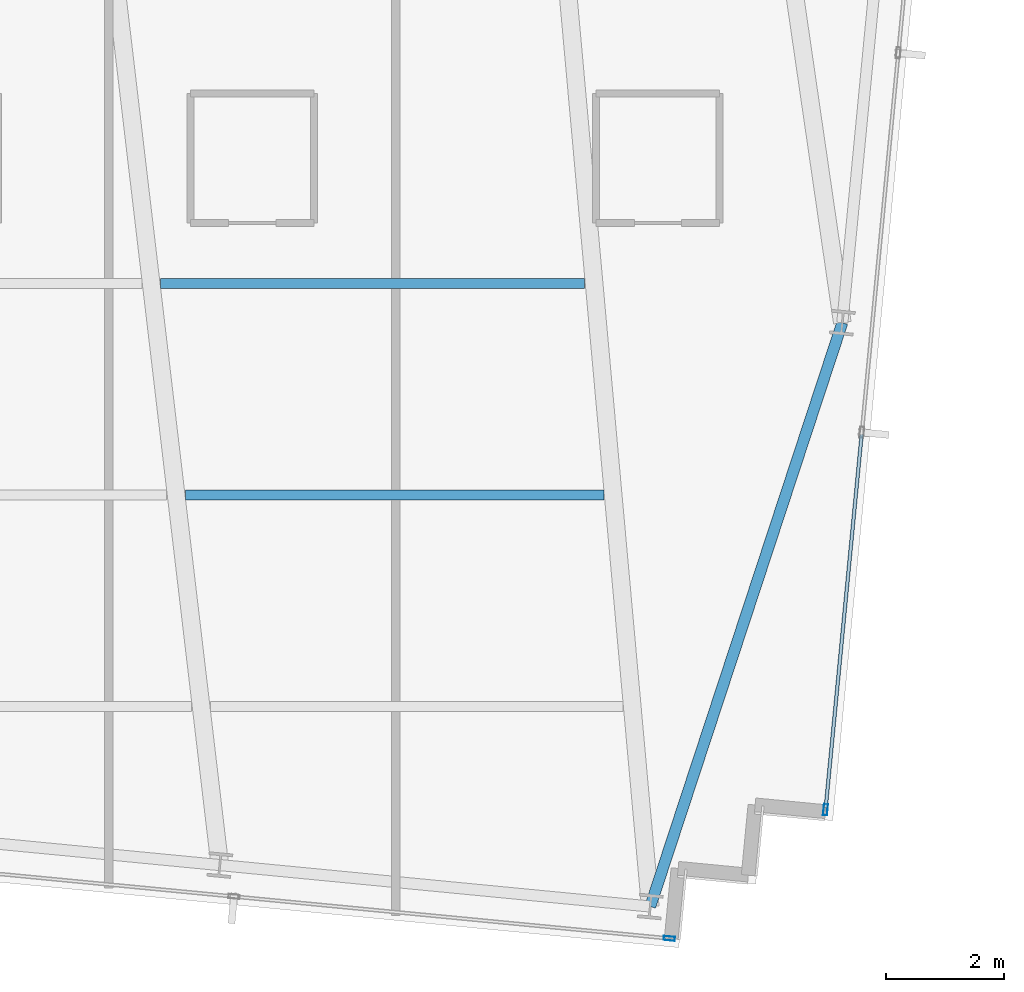
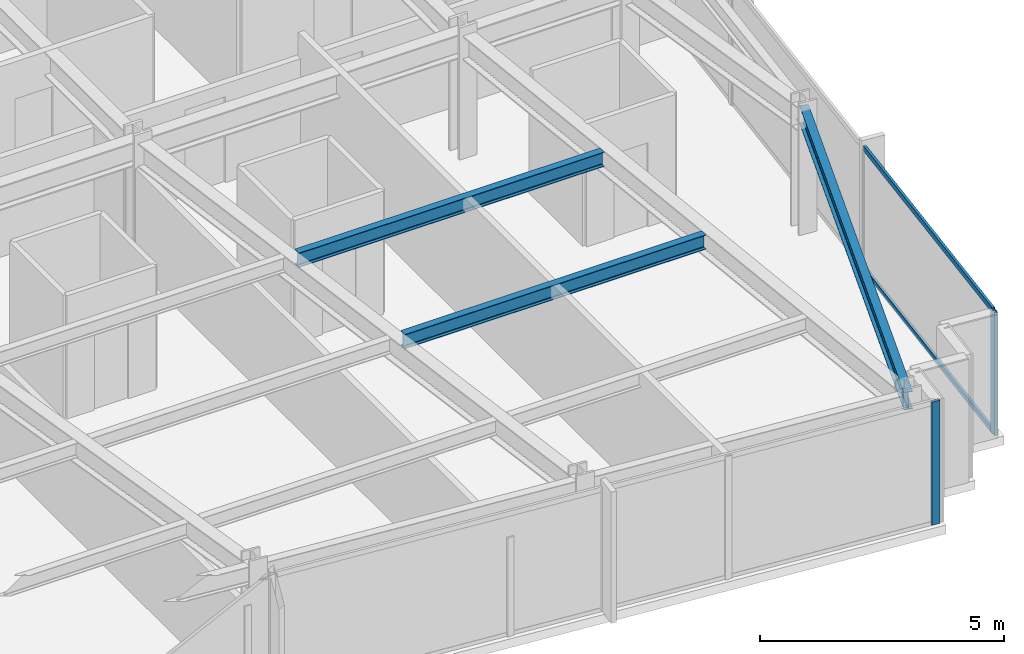
# One storey, part 14 of 37: 4 members, 3 beams, 2 elements without a shape of their own.
"""IFC4 building model written with IfcOpenShell, lengths in metres."""

from ifc_helpers import new_model, si_unit, direction, frame, origin, origin_2d, place, context, subcontext, project, spatial, hollow_rectangle, i_section, extrude, material, material_profile, profile_set, type_object, element, aggregate, save


model = new_model("IFC4")

# Units and contexts
model_context = context("Model", 3, precision=1e-05, world=origin(), true_north=direction((0.0, 1.0)))
body_context = subcontext(model_context, "Body", "Model", "MODEL_VIEW")
ifc_project = project(units=[si_unit("LENGTHUNIT", "METRE"), si_unit("AREAUNIT", "SQUARE_METRE"), si_unit("VOLUMEUNIT", "CUBIC_METRE"), si_unit("PLANEANGLEUNIT", "RADIAN"), si_unit("MASSUNIT", "GRAM", prefix="KILO")], contexts=[model_context])

# Site, building, storey
site_placement = place(None, origin())
site = spatial("IfcSite", under=ifc_project, at=site_placement, CompositionType="ELEMENT")
building_placement = place(site_placement, origin())
building = spatial("IfcBuilding", under=site, at=building_placement, Name="Yelkora Congress Tower", CompositionType="ELEMENT")
storey_placement = place(building_placement, frame((0.0, 0.0, 175.39990234375)))
storey = spatial("IfcBuildingStorey", under=building, at=storey_placement, Name="L48", CompositionType="ELEMENT", Elevation=175.39990234375)

# Beams
ifc_material_1 = material(Name="Steel S355J2", Category="steel")
ifc_material_profile_1 = material_profile(ifc_material_1, i_section(OverallWidth=0.169921875, OverallDepth=0.360107421875, WebThickness=0.008056640625, FlangeThickness=0.0126953125, FilletRadius=0.01806640625, at=origin_2d()), Name="IPE 360")
ifc_profile_set_1 = profile_set([ifc_material_profile_1], Name="Steel S355J2")
beam_type_1 = type_object("IfcBeamType", Name="BM-JOIST-IPE360", PredefinedType="JOIST", material=ifc_profile_set_1)
beam_1_placement = place(storey_placement, frame((47.27587890625, 16.421142578125, 2.900146484375), z_axis=(1.0, 0.0, 0.0), x_axis=(0.0, 1.0, 0.0)))
element("IfcBeam", 1, at=beam_1_placement, inside=storey, type_object=beam_type_1, Name="L48 Composite Floor Joist 11", PredefinedType="JOIST", context=body_context, shape_type="SweptSolid", body=[
    extrude(i_section(OverallWidth=0.169921875, OverallDepth=0.360107421875, WebThickness=0.008056640625, FlangeThickness=0.0126953125, FilletRadius=0.01806640625, at=origin_2d()), origin(), (0.0, 0.0, 1.0), 7.115234375),
])
beam_2_placement = place(storey_placement, frame((46.851318359375, 20.021240234375, 2.900146484375), z_axis=(1.0, 0.0, 0.0), x_axis=(0.0, 1.0, 0.0)))
element("IfcBeam", 2, at=beam_2_placement, inside=storey, type_object=beam_type_1, Name="L48 Composite Floor Joist 18", PredefinedType="JOIST", context=body_context, shape_type="SweptSolid", body=[
    extrude(i_section(OverallWidth=0.169921875, OverallDepth=0.360107421875, WebThickness=0.008056640625, FlangeThickness=0.0126953125, FilletRadius=0.01806640625, at=origin_2d()), origin(), (0.0, 0.0, 1.0), 7.215576171875),
])
ifc_material_profile_2 = material_profile(ifc_material_1, i_section(OverallWidth=0.18994140625, OverallDepth=0.449951171875, WebThickness=0.009521484375, FlangeThickness=0.0146484375, FilletRadius=0.02099609375, at=origin_2d()), Name="IPE 450")
ifc_profile_set_2 = profile_set([ifc_material_profile_2], Name="Steel S355J2")
beam_type_2 = type_object("IfcBeamType", Name="BM-SPAN-IPE450", PredefinedType="SPANDREL", material=ifc_profile_set_2)
beam_3_placement = place(storey_placement, frame((55.18212890625, 9.421142578125, 2.85498046875), z_axis=(0.312456737339, 0.949931990877, 0.0), x_axis=(-0.949931990877, 0.312456737339, 0.0)))
element("IfcBeam", 3, at=beam_3_placement, inside=storey, type_object=beam_type_2, Name="L48 Perimeter Beam 9", PredefinedType="SPANDREL", context=body_context, shape_type="SweptSolid", body=[
    extrude(i_section(OverallWidth=0.18994140625, OverallDepth=0.449951171875, WebThickness=0.009521484375, FlangeThickness=0.0146484375, FilletRadius=0.02099609375, at=origin_2d()), origin(), (0.0, 0.0, 1.0), 10.4560546875),
])

# Curtain wall, member
ifc_material_2 = material(Name="Anodised aluminium and insulated glass", Category="aluminium")
curtain_wall_type = type_object("IfcCurtainWallType", Name="CW-SYS-B3", PredefinedType="NOTDEFINED", material=ifc_material_2)
curtain_wall_1_placement = place(storey_placement, origin())
curtain_wall_1 = element("IfcCurtainWall", 4, at=curtain_wall_1_placement, inside=storey, type_object=curtain_wall_type, Name="L48 Unitised Curtain Wall 15", PredefinedType="NOTDEFINED")
ifc_material_3 = material(Name="Anodised aluminium 6063-T6", Category="aluminium")
ifc_material_profile_3 = material_profile(ifc_material_3, hollow_rectangle(XDim=0.070068359375, YDim=0.18994140625, WallThickness=0.00390625, at=origin_2d()), Name="ALU 70x190x4")
ifc_profile_set_3 = profile_set([ifc_material_profile_3], Name="Anodised aluminium 6063-T6")
member_type_1 = type_object("IfcMemberType", Name="MEM-ML-B3", PredefinedType="MULLION", material=ifc_profile_set_3)
member_1_placement = place(storey_placement, frame((58.163818359375, 11.068115234375, 0.0), z_axis=(0.0, 0.0, 1.0), x_axis=(0.995396565076, -0.095841944023, 0.0)))
member_1 = element("IfcMember", 5, at=member_1_placement, type_object=member_type_1, Name="CW-B3 mullion 6", PredefinedType="MULLION", context=body_context, shape_type="SweptSolid", body=[
    extrude(hollow_rectangle(XDim=0.070068359375, YDim=0.18994140625, WallThickness=0.00390625, at=origin_2d()), origin(), (0.0, 0.0, 1.0), 3.080078125),
])

curtain_wall_2_placement = place(storey_placement, origin())
curtain_wall_2 = element("IfcCurtainWall", 6, at=curtain_wall_2_placement, inside=storey, type_object=curtain_wall_type, Name="L48 Unitised Curtain Wall 20", PredefinedType="NOTDEFINED")
member_2_placement = place(storey_placement, frame((55.506591796875, 8.877685546875, 0.0), z_axis=(0.0, 0.0, 1.0), x_axis=(-0.095844680679, -0.995396301573, 0.0)))
member_2 = element("IfcMember", 7, at=member_2_placement, type_object=member_type_1, Name="CW-B3 mullion 1", PredefinedType="MULLION", context=body_context, shape_type="SweptSolid", body=[
    extrude(hollow_rectangle(XDim=0.070068359375, YDim=0.18994140625, WallThickness=0.00390625, at=origin_2d()), origin(), (0.0, 0.0, 1.0), 3.080078125),
])
aggregate(curtain_wall_2, [member_2])

# Member
ifc_material_profile_4 = material_profile(ifc_material_3, hollow_rectangle(XDim=0.06005859375, YDim=0.1298828125, WallThickness=0.00390625, at=origin_2d()), Name="ALU 60x130x4")
ifc_profile_set_4 = profile_set([ifc_material_profile_4], Name="Anodised aluminium 6063-T6")
member_type_2 = type_object("IfcMemberType", Name="MEM-TR-B3", PredefinedType="USERDEFINED", material=ifc_profile_set_4)
member_3_placement = place(storey_placement, frame((58.778564453125, 17.45263671875, 0.030029296875), z_axis=(-0.095869192297, -0.995393941095, 0.0), x_axis=(0.995393941095, -0.095869192297, 0.0)))
member_3 = element("IfcMember", 8, at=member_3_placement, type_object=member_type_2, Name="CW-B3 transom 5.1", ObjectType="TRANSOM", PredefinedType="USERDEFINED", context=body_context, shape_type="SweptSolid", body=[
    extrude(hollow_rectangle(XDim=0.06005859375, YDim=0.1298828125, WallThickness=0.00390625, at=origin_2d()), origin(), (0.0, 0.0, 1.0), 6.379150390625),
])

member_4_placement = place(storey_placement, frame((58.778564453125, 17.45263671875, 3.050048828125), z_axis=(-0.095869192297, -0.995393941095, 0.0), x_axis=(0.995393941095, -0.095869192297, 0.0)))
member_4 = element("IfcMember", 9, at=member_4_placement, type_object=member_type_2, Name="CW-B3 transom 5.2", ObjectType="TRANSOM", PredefinedType="USERDEFINED", context=body_context, shape_type="SweptSolid", body=[
    extrude(hollow_rectangle(XDim=0.06005859375, YDim=0.1298828125, WallThickness=0.00390625, at=origin_2d()), origin(), (0.0, 0.0, 1.0), 6.379150390625),
])

aggregate(curtain_wall_1, [member_1, member_3, member_4])

save(model, "model.ifc")
